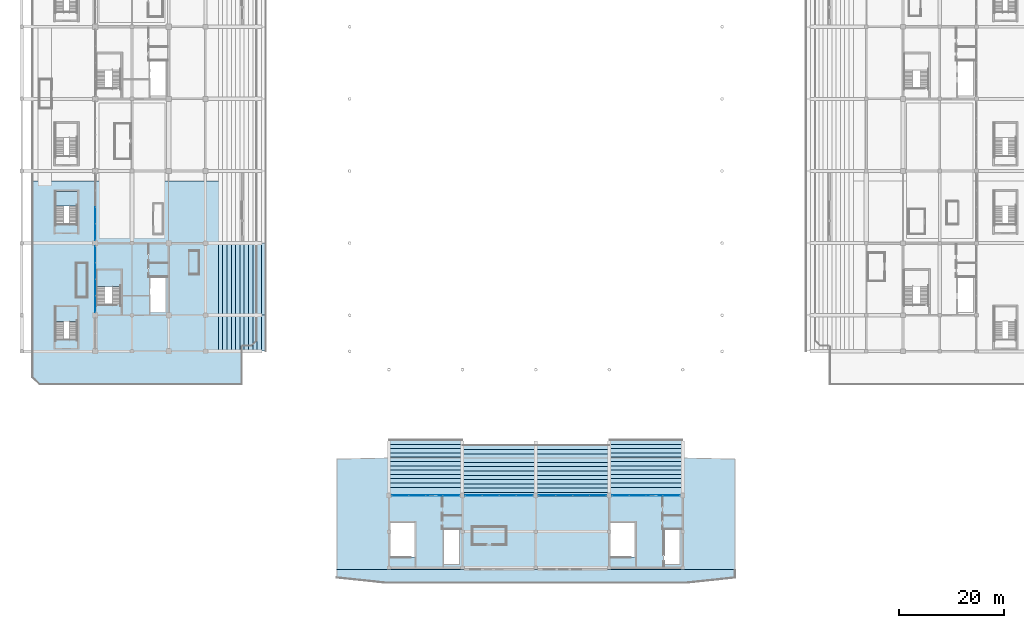
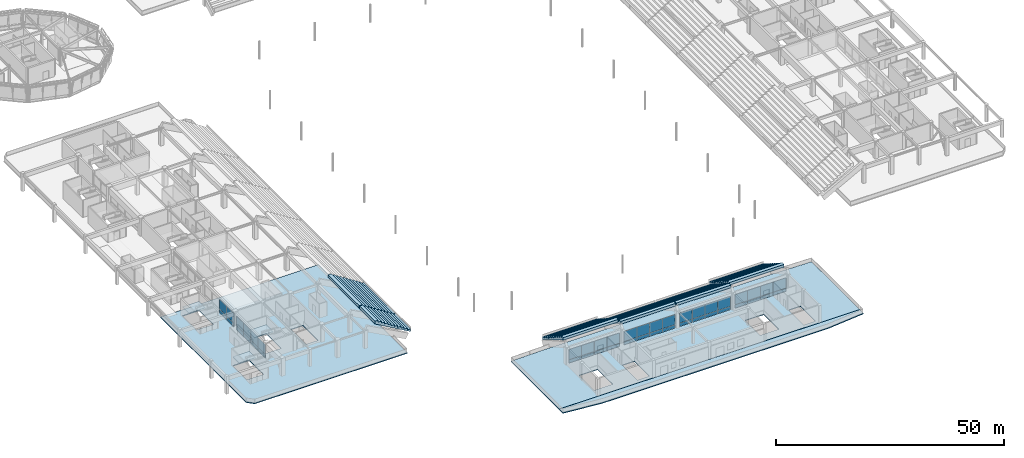
# One storey, part 59 of 94: 44 plates, 12 slabs, 9 elements without a shape of their own.
"""IFC4 building model written with IfcOpenShell, lengths in metres."""

from ifc_helpers import new_model, si_unit, direction, frame, origin, origin_2d, place, context, subcontext, project, spatial, polyline, rectangle, outline, extrude, material, layer, layer_set, type_object, element, aggregate, save


model = new_model("IFC4")

# Units and contexts
model_context = context("Model", 3, precision=1e-05, world=origin(), true_north=direction((0.0, 1.0)))
body_context = subcontext(model_context, "Body", "Model", "MODEL_VIEW")
ifc_project = project(units=[si_unit("LENGTHUNIT", "METRE"), si_unit("AREAUNIT", "SQUARE_METRE"), si_unit("VOLUMEUNIT", "CUBIC_METRE"), si_unit("PLANEANGLEUNIT", "RADIAN"), si_unit("MASSUNIT", "GRAM", prefix="KILO")], contexts=[model_context])

# Site, building, storey
site_placement = place(None, origin())
site = spatial("IfcSite", under=ifc_project, at=site_placement, CompositionType="ELEMENT")
building_placement = place(site_placement, origin())
building = spatial("IfcBuilding", under=site, at=building_placement, Name="Linyun Crest Stadium", CompositionType="ELEMENT")
storey_placement = place(building_placement, frame((0.0, 0.0, 16.199951171875)))
storey = spatial("IfcBuildingStorey", under=building, at=storey_placement, Name="L04", CompositionType="ELEMENT", Elevation=16.199951171875)

# Slabs
ifc_material_1 = material(Name="Concrete C40", Category="concrete")
ifc_layer_1 = layer(ifc_material_1, 0.179931640625)
ifc_layer_set_1 = layer_set([ifc_layer_1], Name="Concrete C40")
slab_type_1 = type_object("IfcSlabType", Name="FS01", PredefinedType="FLOOR", material=ifc_layer_set_1)
slab_1_placement = place(storey_placement, frame((0.0, 0.0, -0.179931640625)))
element("IfcSlab", 1, at=slab_1_placement, inside=storey, type_object=slab_type_1, Name="Slab FS01 V4 L04 42", PredefinedType="FLOOR", context=body_context, shape_type="SweptSolid", body=[
    extrude(outline(polyline([(-38.0, -87.60009765625), (38.0, -87.60009765625), (38.0, -66.5), (28.5, -66.300048828125), (-28.5, -66.300048828125), (-38.0, -66.5), (-38.0, -87.60009765625)]), holes=[polyline([(-27.77490234375, -85.22998046875), (-27.77490234375, -78.64990234375), (-23.10009765625, -78.64990234375), (-23.10009765625, -85.22998046875), (-27.77490234375, -85.22998046875)]), polyline([(-17.60009765625, -86.60009765625), (-17.60009765625, -80.0), (-14.60009765625, -80.0), (-14.60009765625, -86.60009765625), (-17.60009765625, -86.60009765625)]), polyline([(14.175048828125, -85.22998046875), (14.175048828125, -78.64990234375), (18.89990234375, -78.64990234375), (18.89990234375, -85.22998046875), (14.175048828125, -85.22998046875)]), polyline([(24.39990234375, -86.60009765625), (24.39990234375, -80.0), (27.39990234375, -80.0), (27.39990234375, -86.60009765625), (24.39990234375, -86.60009765625)])]), origin(), (0.0, 0.0, 1.0), 0.179931640625),
])
ifc_material_2 = material(Name="Concrete C40", Category="concrete")
ifc_layer_2 = layer(ifc_material_2, 0.219970703125)
ifc_layer_set_2 = layer_set([ifc_layer_2], Name="Concrete C40")
slab_type_2 = type_object("IfcSlabType", Name="FS03", PredefinedType="FLOOR", material=ifc_layer_set_2)
slab_2_placement = place(storey_placement, frame((0.0, 0.0, -0.219970703125)))
element("IfcSlab", 2, at=slab_2_placement, inside=storey, type_object=slab_type_2, Name="Slab FS03 V1 L04 8", PredefinedType="FLOOR", context=body_context, shape_type="SweptSolid", body=[
    extrude(outline(polyline([(-94.60009765625, -52.3349609375), (-56.0, -52.3349609375), (-56.0, -13.510009765625), (-96.0, -13.510009765625), (-96.0, -50.93505859375), (-94.60009765625, -52.3349609375)]), holes=[polyline([(-83.824951171875, -37.10498046875), (-83.824951171875, -30.52490234375), (-79.10009765625, -30.52490234375), (-79.10009765625, -37.10498046875), (-83.824951171875, -37.10498046875)]), polyline([(-73.60009765625, -38.47509765625), (-73.60009765625, -31.875), (-70.60009765625, -31.875), (-70.60009765625, -38.47509765625), (-73.60009765625, -38.47509765625)]), polyline([(-91.60009765625, -43.75), (-91.60009765625, -37.5), (-87.39990234375, -37.5), (-87.39990234375, -43.75), (-91.60009765625, -43.75)]), polyline([(-91.60009765625, -21.75), (-91.60009765625, -15.5), (-87.39990234375, -15.5), (-87.39990234375, -21.75), (-91.60009765625, -21.75)])]), origin(), (0.0, 0.0, 1.0), 0.219970703125),
])

# Curtain wall, plates
ifc_material_3 = material(Name="Verdigris steel and low-E curtain wall assembly", Category="steel")
curtain_wall_type_1 = type_object("IfcCurtainWallType", Name="MCW01", PredefinedType="NOTDEFINED", material=ifc_material_3)
curtain_wall_1_placement = place(storey_placement, origin())
curtain_wall_1 = element("IfcCurtainWall", 3, at=curtain_wall_1_placement, inside=storey, type_object=curtain_wall_type_1, Name="CWR-133", PredefinedType="NOTDEFINED")
ifc_material_4 = material(Name="Double silver low-E insulated glass", Category="glass")
ifc_layer_3 = layer(ifc_material_4, 0.02587890625)
ifc_layer_set_3 = layer_set([ifc_layer_3], Name="Double silver low-E insulated glass")
plate_type_1 = type_object("IfcPlateType", Name="GP01", PredefinedType="CURTAIN_PANEL", material=ifc_layer_set_3)
plate_1_placement = place(storey_placement, frame((-25.837890625, -73.5, 0.92529296875), z_axis=(0.0, 0.0, 1.0), x_axis=(1.0, 0.0, 0.0)))
plate_1 = element("IfcPlate", 4, at=plate_1_placement, type_object=plate_type_1, Name="CWR-133 panel 1.2", PredefinedType="CURTAIN_PANEL", context=body_context, shape_type="SweptSolid", body=[
    extrude(rectangle(XDim=3.175048828125, YDim=0.02587890625, at=origin_2d()), origin(), (0.0, 0.0, 1.0), 2.699951171875),
])
plate_2_placement = place(storey_placement, frame((-22.612060546875, -73.5, 0.92529296875), z_axis=(0.0, 0.0, 1.0), x_axis=(1.0, 0.0, 0.0)))
plate_2 = element("IfcPlate", 5, at=plate_2_placement, type_object=plate_type_1, Name="CWR-133 panel 2.2", PredefinedType="CURTAIN_PANEL", context=body_context, shape_type="SweptSolid", body=[
    extrude(rectangle(XDim=3.175048828125, YDim=0.02587890625, at=origin_2d()), origin(), (0.0, 0.0, 1.0), 2.699951171875),
])
plate_3_placement = place(storey_placement, frame((-19.387939453125, -73.5, 0.92529296875), z_axis=(0.0, 0.0, 1.0), x_axis=(1.0, 0.0, 0.0)))
plate_3 = element("IfcPlate", 6, at=plate_3_placement, type_object=plate_type_1, Name="CWR-133 panel 3.2", PredefinedType="CURTAIN_PANEL", context=body_context, shape_type="SweptSolid", body=[
    extrude(rectangle(XDim=3.175048828125, YDim=0.02587890625, at=origin_2d()), origin(), (0.0, 0.0, 1.0), 2.699951171875),
])
plate_4_placement = place(storey_placement, frame((-16.1630859375, -73.5, 0.92529296875), z_axis=(0.0, 0.0, 1.0), x_axis=(1.0, 0.0, 0.0)))
plate_4 = element("IfcPlate", 7, at=plate_4_placement, type_object=plate_type_1, Name="CWR-133 panel 4.2", PredefinedType="CURTAIN_PANEL", context=body_context, shape_type="SweptSolid", body=[
    extrude(rectangle(XDim=3.175048828125, YDim=0.02587890625, at=origin_2d()), origin(), (0.0, 0.0, 1.0), 2.699951171875),
])

curtain_wall_2_placement = place(storey_placement, origin())
curtain_wall_2 = element("IfcCurtainWall", 8, at=curtain_wall_2_placement, inside=storey, type_object=curtain_wall_type_1, Name="CWR-140", PredefinedType="NOTDEFINED")
plate_5_placement = place(storey_placement, frame((-11.8369140625, -73.5, 0.92529296875), z_axis=(0.0, 0.0, 1.0), x_axis=(1.0, 0.0, 0.0)))
plate_5 = element("IfcPlate", 9, at=plate_5_placement, type_object=plate_type_1, Name="CWR-140 panel 1.2", PredefinedType="CURTAIN_PANEL", context=body_context, shape_type="SweptSolid", body=[
    extrude(rectangle(XDim=3.175048828125, YDim=0.02587890625, at=origin_2d()), origin(), (0.0, 0.0, 1.0), 2.699951171875),
])
plate_6_placement = place(storey_placement, frame((-8.612060546875, -73.5, 0.92529296875), z_axis=(0.0, 0.0, 1.0), x_axis=(1.0, 0.0, 0.0)))
plate_6 = element("IfcPlate", 10, at=plate_6_placement, type_object=plate_type_1, Name="CWR-140 panel 2.2", PredefinedType="CURTAIN_PANEL", context=body_context, shape_type="SweptSolid", body=[
    extrude(rectangle(XDim=3.175048828125, YDim=0.02587890625, at=origin_2d()), origin(), (0.0, 0.0, 1.0), 2.699951171875),
])
plate_7_placement = place(storey_placement, frame((-5.386962890625, -73.5, 0.92529296875), z_axis=(0.0, 0.0, 1.0), x_axis=(1.0, 0.0, 0.0)))
plate_7 = element("IfcPlate", 11, at=plate_7_placement, type_object=plate_type_1, Name="CWR-140 panel 3.2", PredefinedType="CURTAIN_PANEL", context=body_context, shape_type="SweptSolid", body=[
    extrude(rectangle(XDim=3.175048828125, YDim=0.02587890625, at=origin_2d()), origin(), (0.0, 0.0, 1.0), 2.699951171875),
])
plate_8_placement = place(storey_placement, frame((-2.1630859375, -73.5, 0.92529296875), z_axis=(0.0, 0.0, 1.0), x_axis=(1.0, 0.0, 0.0)))
plate_8 = element("IfcPlate", 12, at=plate_8_placement, type_object=plate_type_1, Name="CWR-140 panel 4.2", PredefinedType="CURTAIN_PANEL", context=body_context, shape_type="SweptSolid", body=[
    extrude(rectangle(XDim=3.175048828125, YDim=0.02587890625, at=origin_2d()), origin(), (0.0, 0.0, 1.0), 2.699951171875),
])

curtain_wall_3_placement = place(storey_placement, origin())
curtain_wall_3 = element("IfcCurtainWall", 13, at=curtain_wall_3_placement, inside=storey, type_object=curtain_wall_type_1, Name="CWR-147", PredefinedType="NOTDEFINED")
plate_9_placement = place(storey_placement, frame((2.162109375, -73.5, 0.92529296875), z_axis=(0.0, 0.0, 1.0), x_axis=(1.0, 0.0, 0.0)))
plate_9 = element("IfcPlate", 14, at=plate_9_placement, type_object=plate_type_1, Name="CWR-147 panel 1.2", PredefinedType="CURTAIN_PANEL", context=body_context, shape_type="SweptSolid", body=[
    extrude(rectangle(XDim=3.175048828125, YDim=0.02587890625, at=origin_2d()), origin(), (0.0, 0.0, 1.0), 2.699951171875),
])
plate_10_placement = place(storey_placement, frame((5.386962890625, -73.5, 0.92529296875), z_axis=(0.0, 0.0, 1.0), x_axis=(1.0, 0.0, 0.0)))
plate_10 = element("IfcPlate", 15, at=plate_10_placement, type_object=plate_type_1, Name="CWR-147 panel 2.2", PredefinedType="CURTAIN_PANEL", context=body_context, shape_type="SweptSolid", body=[
    extrude(rectangle(XDim=3.175048828125, YDim=0.02587890625, at=origin_2d()), origin(), (0.0, 0.0, 1.0), 2.699951171875),
])
plate_11_placement = place(storey_placement, frame((8.612060546875, -73.5, 0.92529296875), z_axis=(0.0, 0.0, 1.0), x_axis=(1.0, 0.0, 0.0)))
plate_11 = element("IfcPlate", 16, at=plate_11_placement, type_object=plate_type_1, Name="CWR-147 panel 3.2", PredefinedType="CURTAIN_PANEL", context=body_context, shape_type="SweptSolid", body=[
    extrude(rectangle(XDim=3.175048828125, YDim=0.02587890625, at=origin_2d()), origin(), (0.0, 0.0, 1.0), 2.699951171875),
])
plate_12_placement = place(storey_placement, frame((11.8369140625, -73.5, 0.92529296875), z_axis=(0.0, 0.0, 1.0), x_axis=(1.0, 0.0, 0.0)))
plate_12 = element("IfcPlate", 17, at=plate_12_placement, type_object=plate_type_1, Name="CWR-147 panel 4.2", PredefinedType="CURTAIN_PANEL", context=body_context, shape_type="SweptSolid", body=[
    extrude(rectangle(XDim=3.175048828125, YDim=0.02587890625, at=origin_2d()), origin(), (0.0, 0.0, 1.0), 2.699951171875),
])

curtain_wall_4_placement = place(storey_placement, origin())
curtain_wall_4 = element("IfcCurtainWall", 18, at=curtain_wall_4_placement, inside=storey, type_object=curtain_wall_type_1, Name="CWR-154", PredefinedType="NOTDEFINED")
plate_13_placement = place(storey_placement, frame((16.1630859375, -73.5, 0.92529296875), z_axis=(0.0, 0.0, 1.0), x_axis=(1.0, 0.0, 0.0)))
plate_13 = element("IfcPlate", 19, at=plate_13_placement, type_object=plate_type_1, Name="CWR-154 panel 1.2", PredefinedType="CURTAIN_PANEL", context=body_context, shape_type="SweptSolid", body=[
    extrude(rectangle(XDim=3.175048828125, YDim=0.02587890625, at=origin_2d()), origin(), (0.0, 0.0, 1.0), 2.699951171875),
])
plate_14_placement = place(storey_placement, frame((19.387939453125, -73.5, 0.92529296875), z_axis=(0.0, 0.0, 1.0), x_axis=(1.0, 0.0, 0.0)))
plate_14 = element("IfcPlate", 20, at=plate_14_placement, type_object=plate_type_1, Name="CWR-154 panel 2.2", PredefinedType="CURTAIN_PANEL", context=body_context, shape_type="SweptSolid", body=[
    extrude(rectangle(XDim=3.175048828125, YDim=0.02587890625, at=origin_2d()), origin(), (0.0, 0.0, 1.0), 2.699951171875),
])
plate_15_placement = place(storey_placement, frame((22.612060546875, -73.5, 0.92529296875), z_axis=(0.0, 0.0, 1.0), x_axis=(1.0, 0.0, 0.0)))
plate_15 = element("IfcPlate", 21, at=plate_15_placement, type_object=plate_type_1, Name="CWR-154 panel 3.2", PredefinedType="CURTAIN_PANEL", context=body_context, shape_type="SweptSolid", body=[
    extrude(rectangle(XDim=3.175048828125, YDim=0.02587890625, at=origin_2d()), origin(), (0.0, 0.0, 1.0), 2.699951171875),
])
plate_16_placement = place(storey_placement, frame((25.837890625, -73.5, 0.92529296875), z_axis=(0.0, 0.0, 1.0), x_axis=(1.0, 0.0, 0.0)))
plate_16 = element("IfcPlate", 22, at=plate_16_placement, type_object=plate_type_1, Name="CWR-154 panel 4.2", PredefinedType="CURTAIN_PANEL", context=body_context, shape_type="SweptSolid", body=[
    extrude(rectangle(XDim=3.175048828125, YDim=0.02587890625, at=origin_2d()), origin(), (0.0, 0.0, 1.0), 2.699951171875),
])

ifc_material_5 = material(Name="Verdigris steel and low-E curtain wall assembly", Category="steel")
curtain_wall_type_2 = type_object("IfcCurtainWallType", Name="MCW06", PredefinedType="NOTDEFINED", material=ifc_material_5)
curtain_wall_5_placement = place(storey_placement, origin())
curtain_wall_5 = element("IfcCurtainWall", 23, at=curtain_wall_5_placement, inside=storey, type_object=curtain_wall_type_2, Name="CWR-075", PredefinedType="NOTDEFINED")
ifc_material_6 = material(Name="Acoustic laminated low-E broadcast glass", Category="glass")
ifc_layer_4 = layer(ifc_material_6, 0.030029296875)
ifc_layer_set_4 = layer_set([ifc_layer_4], Name="Acoustic laminated low-E broadcast glass")
plate_type_2 = type_object("IfcPlateType", Name="GP02", PredefinedType="CURTAIN_PANEL", material=ifc_layer_set_4)
plate_17_placement = place(storey_placement, frame((-84.0, -36.993896484375, 1.02490234375), z_axis=(0.0, 0.0, 1.0), x_axis=(0.0, 1.0, 0.0)))
plate_17 = element("IfcPlate", 24, at=plate_17_placement, type_object=plate_type_2, Name="CWR-075 panel 1.2", PredefinedType="CURTAIN_PANEL", context=body_context, shape_type="SweptSolid", body=[
    extrude(rectangle(XDim=3.112548828125, YDim=0.030029296875, at=origin_2d()), origin(), (0.0, 0.0, 1.0), 2.60009765625),
])
plate_18_placement = place(storey_placement, frame((-84.0, -33.8310546875, 1.02490234375), z_axis=(0.0, 0.0, 1.0), x_axis=(0.0, 1.0, 0.0)))
plate_18 = element("IfcPlate", 25, at=plate_18_placement, type_object=plate_type_2, Name="CWR-075 panel 2.2", PredefinedType="CURTAIN_PANEL", context=body_context, shape_type="SweptSolid", body=[
    extrude(rectangle(XDim=3.112548828125, YDim=0.030029296875, at=origin_2d()), origin(), (0.0, 0.0, 1.0), 2.60009765625),
])
plate_19_placement = place(storey_placement, frame((-84.0, -30.6689453125, 1.02490234375), z_axis=(0.0, 0.0, 1.0), x_axis=(0.0, 1.0, 0.0)))
plate_19 = element("IfcPlate", 26, at=plate_19_placement, type_object=plate_type_2, Name="CWR-075 panel 3.2", PredefinedType="CURTAIN_PANEL", context=body_context, shape_type="SweptSolid", body=[
    extrude(rectangle(XDim=3.112548828125, YDim=0.030029296875, at=origin_2d()), origin(), (0.0, 0.0, 1.0), 2.60009765625),
])
plate_20_placement = place(storey_placement, frame((-84.0, -27.506103515625, 1.02490234375), z_axis=(0.0, 0.0, 1.0), x_axis=(0.0, 1.0, 0.0)))
plate_20 = element("IfcPlate", 27, at=plate_20_placement, type_object=plate_type_2, Name="CWR-075 panel 4.2", PredefinedType="CURTAIN_PANEL", context=body_context, shape_type="SweptSolid", body=[
    extrude(rectangle(XDim=3.112548828125, YDim=0.030029296875, at=origin_2d()), origin(), (0.0, 0.0, 1.0), 2.60009765625),
])

curtain_wall_6_placement = place(storey_placement, origin())
curtain_wall_6 = element("IfcCurtainWall", 28, at=curtain_wall_6_placement, inside=storey, type_object=curtain_wall_type_2, Name="CWR-084", PredefinedType="NOTDEFINED")
plate_21_placement = place(storey_placement, frame((-84.0, -23.243896484375, 1.02490234375), z_axis=(0.0, 0.0, 1.0), x_axis=(0.0, 1.0, 0.0)))
plate_21 = element("IfcPlate", 29, at=plate_21_placement, type_object=plate_type_2, Name="CWR-084 panel 1.2", PredefinedType="CURTAIN_PANEL", context=body_context, shape_type="SweptSolid", body=[
    extrude(rectangle(XDim=3.112548828125, YDim=0.030029296875, at=origin_2d()), origin(), (0.0, 0.0, 1.0), 2.60009765625),
])
plate_22_placement = place(storey_placement, frame((-84.0, -20.0810546875, 1.02490234375), z_axis=(0.0, 0.0, 1.0), x_axis=(0.0, 1.0, 0.0)))
plate_22 = element("IfcPlate", 30, at=plate_22_placement, type_object=plate_type_2, Name="CWR-084 panel 2.2", PredefinedType="CURTAIN_PANEL", context=body_context, shape_type="SweptSolid", body=[
    extrude(rectangle(XDim=3.112548828125, YDim=0.030029296875, at=origin_2d()), origin(), (0.0, 0.0, 1.0), 2.60009765625),
])

# Stair, slab
ifc_material_7 = material(Name="Concrete C40", Category="concrete")
stair_type = type_object("IfcStairType", Name="STA03", PredefinedType="HALF_TURN_STAIR", material=ifc_material_7)
stair_1_placement = place(storey_placement, origin())
stair_1 = element("IfcStair", 31, at=stair_1_placement, inside=storey, type_object=stair_type, Name="Evacuation stair STR-01-L04", PredefinedType="HALF_TURN_STAIR")
ifc_material_8 = material(Name="Concrete C40", Category="concrete")
ifc_layer_5 = layer(ifc_material_8, 0.179931640625)
ifc_layer_set_5 = layer_set([ifc_layer_5], Name="Concrete C40")
slab_type_3 = type_object("IfcSlabType", Name="LS01", PredefinedType="LANDING", material=ifc_layer_set_5)
slab_3_placement = place(storey_placement, frame((0.0, 0.0, 2.219970703125)))
slab_3 = element("IfcSlab", 32, at=slab_3_placement, type_object=slab_type_3, Name="STR-01-L04 half-landing", PredefinedType="LANDING", context=body_context, shape_type="SweptSolid", body=[
    extrude(outline(polyline([(-83.824951171875, -33.635009765625), (-79.10009765625, -33.635009765625), (-79.10009765625, -30.52490234375), (-83.824951171875, -30.52490234375), (-83.824951171875, -33.635009765625)])), origin(), (0.0, 0.0, 1.0), 0.18017578125),
])
aggregate(stair_1, [slab_3])

stair_2_placement = place(storey_placement, origin())
stair_2 = element("IfcStair", 33, at=stair_2_placement, inside=storey, type_object=stair_type, Name="Vomitory evacuation stair STR-13-L04", PredefinedType="HALF_TURN_STAIR")
slab_4_placement = place(storey_placement, frame((0.0, 0.0, 2.219970703125)))
slab_4 = element("IfcSlab", 34, at=slab_4_placement, type_object=slab_type_3, Name="STR-13-L04 half-landing", PredefinedType="LANDING", context=body_context, shape_type="SweptSolid", body=[
    extrude(outline(polyline([(-91.60009765625, -40.280029296875), (-87.39990234375, -40.280029296875), (-87.39990234375, -37.5), (-91.60009765625, -37.5), (-91.60009765625, -40.280029296875)])), origin(), (0.0, 0.0, 1.0), 0.18017578125),
])
aggregate(stair_2, [slab_4])

stair_3_placement = place(storey_placement, origin())
stair_3 = element("IfcStair", 35, at=stair_3_placement, inside=storey, type_object=stair_type, Name="Vomitory evacuation stair STR-14-L04", PredefinedType="HALF_TURN_STAIR")
slab_5_placement = place(storey_placement, frame((0.0, 0.0, 2.219970703125)))
slab_5 = element("IfcSlab", 36, at=slab_5_placement, type_object=slab_type_3, Name="STR-14-L04 half-landing", PredefinedType="LANDING", context=body_context, shape_type="SweptSolid", body=[
    extrude(outline(polyline([(-91.60009765625, -18.280029296875), (-87.39990234375, -18.280029296875), (-87.39990234375, -15.5), (-91.60009765625, -15.5), (-91.60009765625, -18.280029296875)])), origin(), (0.0, 0.0, 1.0), 0.18017578125),
])
aggregate(stair_3, [slab_5])

# Plate
ifc_material_9 = material(Name="Celadon glazed ceramic faience insulated spandrel")
ifc_layer_6 = layer(ifc_material_9, 0.0419921875)
ifc_layer_set_6 = layer_set([ifc_layer_6], Name="Celadon glazed ceramic faience insulated spandrel")
plate_type_3 = type_object("IfcPlateType", Name="SP01", PredefinedType="SHEET", material=ifc_layer_set_6)
plate_23_placement = place(storey_placement, frame((-25.837890625, -73.5, 0.02490234375), z_axis=(0.0, 0.0, 1.0), x_axis=(1.0, 0.0, 0.0)))
plate_23 = element("IfcPlate", 37, at=plate_23_placement, type_object=plate_type_3, Name="CWR-133 panel 1.1", PredefinedType="SHEET", context=body_context, shape_type="SweptSolid", body=[
    extrude(rectangle(XDim=3.175048828125, YDim=0.0419921875, at=origin_2d()), origin(), (0.0, 0.0, 1.0), 0.85009765625),
])

plate_24_placement = place(storey_placement, frame((-22.612060546875, -73.5, 0.02490234375), z_axis=(0.0, 0.0, 1.0), x_axis=(1.0, 0.0, 0.0)))
plate_24 = element("IfcPlate", 38, at=plate_24_placement, type_object=plate_type_3, Name="CWR-133 panel 2.1", PredefinedType="SHEET", context=body_context, shape_type="SweptSolid", body=[
    extrude(rectangle(XDim=3.175048828125, YDim=0.0419921875, at=origin_2d()), origin(), (0.0, 0.0, 1.0), 0.85009765625),
])

plate_25_placement = place(storey_placement, frame((-19.387939453125, -73.5, 0.02490234375), z_axis=(0.0, 0.0, 1.0), x_axis=(1.0, 0.0, 0.0)))
plate_25 = element("IfcPlate", 39, at=plate_25_placement, type_object=plate_type_3, Name="CWR-133 panel 3.1", PredefinedType="SHEET", context=body_context, shape_type="SweptSolid", body=[
    extrude(rectangle(XDim=3.175048828125, YDim=0.0419921875, at=origin_2d()), origin(), (0.0, 0.0, 1.0), 0.85009765625),
])

plate_26_placement = place(storey_placement, frame((-16.1630859375, -73.5, 0.02490234375), z_axis=(0.0, 0.0, 1.0), x_axis=(1.0, 0.0, 0.0)))
plate_26 = element("IfcPlate", 40, at=plate_26_placement, type_object=plate_type_3, Name="CWR-133 panel 4.1", PredefinedType="SHEET", context=body_context, shape_type="SweptSolid", body=[
    extrude(rectangle(XDim=3.175048828125, YDim=0.0419921875, at=origin_2d()), origin(), (0.0, 0.0, 1.0), 0.85009765625),
])

aggregate(curtain_wall_1, [plate_23, plate_1, plate_24, plate_2, plate_25, plate_3, plate_26, plate_4])

plate_27_placement = place(storey_placement, frame((-11.8369140625, -73.5, 0.02490234375), z_axis=(0.0, 0.0, 1.0), x_axis=(1.0, 0.0, 0.0)))
plate_27 = element("IfcPlate", 41, at=plate_27_placement, type_object=plate_type_3, Name="CWR-140 panel 1.1", PredefinedType="SHEET", context=body_context, shape_type="SweptSolid", body=[
    extrude(rectangle(XDim=3.175048828125, YDim=0.0419921875, at=origin_2d()), origin(), (0.0, 0.0, 1.0), 0.85009765625),
])

plate_28_placement = place(storey_placement, frame((-8.612060546875, -73.5, 0.02490234375), z_axis=(0.0, 0.0, 1.0), x_axis=(1.0, 0.0, 0.0)))
plate_28 = element("IfcPlate", 42, at=plate_28_placement, type_object=plate_type_3, Name="CWR-140 panel 2.1", PredefinedType="SHEET", context=body_context, shape_type="SweptSolid", body=[
    extrude(rectangle(XDim=3.175048828125, YDim=0.0419921875, at=origin_2d()), origin(), (0.0, 0.0, 1.0), 0.85009765625),
])

plate_29_placement = place(storey_placement, frame((-5.386962890625, -73.5, 0.02490234375), z_axis=(0.0, 0.0, 1.0), x_axis=(1.0, 0.0, 0.0)))
plate_29 = element("IfcPlate", 43, at=plate_29_placement, type_object=plate_type_3, Name="CWR-140 panel 3.1", PredefinedType="SHEET", context=body_context, shape_type="SweptSolid", body=[
    extrude(rectangle(XDim=3.175048828125, YDim=0.0419921875, at=origin_2d()), origin(), (0.0, 0.0, 1.0), 0.85009765625),
])

plate_30_placement = place(storey_placement, frame((-2.1630859375, -73.5, 0.02490234375), z_axis=(0.0, 0.0, 1.0), x_axis=(1.0, 0.0, 0.0)))
plate_30 = element("IfcPlate", 44, at=plate_30_placement, type_object=plate_type_3, Name="CWR-140 panel 4.1", PredefinedType="SHEET", context=body_context, shape_type="SweptSolid", body=[
    extrude(rectangle(XDim=3.175048828125, YDim=0.0419921875, at=origin_2d()), origin(), (0.0, 0.0, 1.0), 0.85009765625),
])

aggregate(curtain_wall_2, [plate_27, plate_5, plate_28, plate_6, plate_29, plate_7, plate_30, plate_8])

plate_31_placement = place(storey_placement, frame((2.162109375, -73.5, 0.02490234375), z_axis=(0.0, 0.0, 1.0), x_axis=(1.0, 0.0, 0.0)))
plate_31 = element("IfcPlate", 45, at=plate_31_placement, type_object=plate_type_3, Name="CWR-147 panel 1.1", PredefinedType="SHEET", context=body_context, shape_type="SweptSolid", body=[
    extrude(rectangle(XDim=3.175048828125, YDim=0.0419921875, at=origin_2d()), origin(), (0.0, 0.0, 1.0), 0.85009765625),
])

plate_32_placement = place(storey_placement, frame((5.386962890625, -73.5, 0.02490234375), z_axis=(0.0, 0.0, 1.0), x_axis=(1.0, 0.0, 0.0)))
plate_32 = element("IfcPlate", 46, at=plate_32_placement, type_object=plate_type_3, Name="CWR-147 panel 2.1", PredefinedType="SHEET", context=body_context, shape_type="SweptSolid", body=[
    extrude(rectangle(XDim=3.175048828125, YDim=0.0419921875, at=origin_2d()), origin(), (0.0, 0.0, 1.0), 0.85009765625),
])

plate_33_placement = place(storey_placement, frame((8.612060546875, -73.5, 0.02490234375), z_axis=(0.0, 0.0, 1.0), x_axis=(1.0, 0.0, 0.0)))
plate_33 = element("IfcPlate", 47, at=plate_33_placement, type_object=plate_type_3, Name="CWR-147 panel 3.1", PredefinedType="SHEET", context=body_context, shape_type="SweptSolid", body=[
    extrude(rectangle(XDim=3.175048828125, YDim=0.0419921875, at=origin_2d()), origin(), (0.0, 0.0, 1.0), 0.85009765625),
])

plate_34_placement = place(storey_placement, frame((11.8369140625, -73.5, 0.02490234375), z_axis=(0.0, 0.0, 1.0), x_axis=(1.0, 0.0, 0.0)))
plate_34 = element("IfcPlate", 48, at=plate_34_placement, type_object=plate_type_3, Name="CWR-147 panel 4.1", PredefinedType="SHEET", context=body_context, shape_type="SweptSolid", body=[
    extrude(rectangle(XDim=3.175048828125, YDim=0.0419921875, at=origin_2d()), origin(), (0.0, 0.0, 1.0), 0.85009765625),
])

aggregate(curtain_wall_3, [plate_31, plate_9, plate_32, plate_10, plate_33, plate_11, plate_34, plate_12])

plate_35_placement = place(storey_placement, frame((16.1630859375, -73.5, 0.02490234375), z_axis=(0.0, 0.0, 1.0), x_axis=(1.0, 0.0, 0.0)))
plate_35 = element("IfcPlate", 49, at=plate_35_placement, type_object=plate_type_3, Name="CWR-154 panel 1.1", PredefinedType="SHEET", context=body_context, shape_type="SweptSolid", body=[
    extrude(rectangle(XDim=3.175048828125, YDim=0.0419921875, at=origin_2d()), origin(), (0.0, 0.0, 1.0), 0.85009765625),
])

plate_36_placement = place(storey_placement, frame((19.387939453125, -73.5, 0.02490234375), z_axis=(0.0, 0.0, 1.0), x_axis=(1.0, 0.0, 0.0)))
plate_36 = element("IfcPlate", 50, at=plate_36_placement, type_object=plate_type_3, Name="CWR-154 panel 2.1", PredefinedType="SHEET", context=body_context, shape_type="SweptSolid", body=[
    extrude(rectangle(XDim=3.175048828125, YDim=0.0419921875, at=origin_2d()), origin(), (0.0, 0.0, 1.0), 0.85009765625),
])

plate_37_placement = place(storey_placement, frame((22.612060546875, -73.5, 0.02490234375), z_axis=(0.0, 0.0, 1.0), x_axis=(1.0, 0.0, 0.0)))
plate_37 = element("IfcPlate", 51, at=plate_37_placement, type_object=plate_type_3, Name="CWR-154 panel 3.1", PredefinedType="SHEET", context=body_context, shape_type="SweptSolid", body=[
    extrude(rectangle(XDim=3.175048828125, YDim=0.0419921875, at=origin_2d()), origin(), (0.0, 0.0, 1.0), 0.85009765625),
])

plate_38_placement = place(storey_placement, frame((25.837890625, -73.5, 0.02490234375), z_axis=(0.0, 0.0, 1.0), x_axis=(1.0, 0.0, 0.0)))
plate_38 = element("IfcPlate", 52, at=plate_38_placement, type_object=plate_type_3, Name="CWR-154 panel 4.1", PredefinedType="SHEET", context=body_context, shape_type="SweptSolid", body=[
    extrude(rectangle(XDim=3.175048828125, YDim=0.0419921875, at=origin_2d()), origin(), (0.0, 0.0, 1.0), 0.85009765625),
])

aggregate(curtain_wall_4, [plate_35, plate_13, plate_36, plate_14, plate_37, plate_15, plate_38, plate_16])

ifc_material_10 = material(Name="Warm ochre glazed ceramic faience spandrel")
ifc_layer_7 = layer(ifc_material_10, 0.048095703125)
ifc_layer_set_7 = layer_set([ifc_layer_7], Name="Warm ochre glazed ceramic faience spandrel")
plate_type_4 = type_object("IfcPlateType", Name="SP02", PredefinedType="SHEET", material=ifc_layer_set_7)
plate_39_placement = place(storey_placement, frame((-84.0, -36.993896484375, 0.02490234375), z_axis=(0.0, 0.0, 1.0), x_axis=(0.0, 1.0, 0.0)))
plate_39 = element("IfcPlate", 53, at=plate_39_placement, type_object=plate_type_4, Name="CWR-075 panel 1.1", PredefinedType="SHEET", context=body_context, shape_type="SweptSolid", body=[
    extrude(rectangle(XDim=3.112548828125, YDim=0.048095703125, at=origin_2d()), origin(), (0.0, 0.0, 1.0), 0.949951171875),
])

plate_40_placement = place(storey_placement, frame((-84.0, -33.8310546875, 0.02490234375), z_axis=(0.0, 0.0, 1.0), x_axis=(0.0, 1.0, 0.0)))
plate_40 = element("IfcPlate", 54, at=plate_40_placement, type_object=plate_type_4, Name="CWR-075 panel 2.1", PredefinedType="SHEET", context=body_context, shape_type="SweptSolid", body=[
    extrude(rectangle(XDim=3.112548828125, YDim=0.048095703125, at=origin_2d()), origin(), (0.0, 0.0, 1.0), 0.949951171875),
])

plate_41_placement = place(storey_placement, frame((-84.0, -30.6689453125, 0.02490234375), z_axis=(0.0, 0.0, 1.0), x_axis=(0.0, 1.0, 0.0)))
plate_41 = element("IfcPlate", 55, at=plate_41_placement, type_object=plate_type_4, Name="CWR-075 panel 3.1", PredefinedType="SHEET", context=body_context, shape_type="SweptSolid", body=[
    extrude(rectangle(XDim=3.112548828125, YDim=0.048095703125, at=origin_2d()), origin(), (0.0, 0.0, 1.0), 0.949951171875),
])

plate_42_placement = place(storey_placement, frame((-84.0, -27.506103515625, 0.02490234375), z_axis=(0.0, 0.0, 1.0), x_axis=(0.0, 1.0, 0.0)))
plate_42 = element("IfcPlate", 56, at=plate_42_placement, type_object=plate_type_4, Name="CWR-075 panel 4.1", PredefinedType="SHEET", context=body_context, shape_type="SweptSolid", body=[
    extrude(rectangle(XDim=3.112548828125, YDim=0.048095703125, at=origin_2d()), origin(), (0.0, 0.0, 1.0), 0.949951171875),
])

aggregate(curtain_wall_5, [plate_39, plate_17, plate_40, plate_18, plate_41, plate_19, plate_42, plate_20])

plate_43_placement = place(storey_placement, frame((-84.0, -23.243896484375, 0.02490234375), z_axis=(0.0, 0.0, 1.0), x_axis=(0.0, 1.0, 0.0)))
plate_43 = element("IfcPlate", 57, at=plate_43_placement, type_object=plate_type_4, Name="CWR-084 panel 1.1", PredefinedType="SHEET", context=body_context, shape_type="SweptSolid", body=[
    extrude(rectangle(XDim=3.112548828125, YDim=0.048095703125, at=origin_2d()), origin(), (0.0, 0.0, 1.0), 0.949951171875),
])

plate_44_placement = place(storey_placement, frame((-84.0, -20.0810546875, 0.02490234375), z_axis=(0.0, 0.0, 1.0), x_axis=(0.0, 1.0, 0.0)))
plate_44 = element("IfcPlate", 58, at=plate_44_placement, type_object=plate_type_4, Name="CWR-084 panel 2.1", PredefinedType="SHEET", context=body_context, shape_type="SweptSolid", body=[
    extrude(rectangle(XDim=3.112548828125, YDim=0.048095703125, at=origin_2d()), origin(), (0.0, 0.0, 1.0), 0.949951171875),
])

aggregate(curtain_wall_6, [plate_43, plate_21, plate_44, plate_22])

# Slabs
ifc_material_11 = material(Name="Precast concrete C50", Category="concrete")
ifc_layer_8 = layer(ifc_material_11, 0.199951171875)
ifc_layer_set_8 = layer_set([ifc_layer_8], Name="Precast concrete C50")
slab_type_4 = type_object("IfcSlabType", Name="ST04", PredefinedType="USERDEFINED", material=ifc_layer_set_8)
slab_6_placement = place(storey_placement, frame((-51.5, -45.919921875, 0.35009765625), z_axis=(0.0, 0.0, 1.0), x_axis=(-1.0, 0.0, 0.0)))
element("IfcSlab", 59, at=slab_6_placement, inside=storey, type_object=slab_type_4, Name="Precast seating tier ST04 V1 3", ObjectType="SEATING TIER", PredefinedType="USERDEFINED", context=body_context, shape_type="SweptSolid", body=[
    extrude(outline(polyline([(0.0, 0.0), (0.0, 0.52001953125), (0.820068359375, 0.52001953125), (0.820068359375, 1.0400390625), (1.639892578125, 1.0400390625), (1.639892578125, 1.56005859375), (2.4599609375, 1.56005859375), (2.4599609375, 2.080078125), (3.280029296875, 2.080078125), (3.280029296875, 2.60009765625), (4.10009765625, 2.60009765625), (4.10009765625, 3.1201171875), (4.919921875, 3.1201171875), (4.919921875, 3.639892578125), (5.739990234375, 3.639892578125), (5.739990234375, 4.159912109375), (6.56005859375, 4.159912109375), (6.56005859375, 4.679931640625), (7.3798828125, 4.679931640625), (7.3798828125, 5.199951171875), (8.199951171875, 5.199951171875), (8.199951171875, 5.719970703125), (9.02001953125, 5.719970703125), (9.02001953125, 5.0), (0.0, -0.199951171875), (0.0, 0.0)])), frame((0.0, 0.0, 0.0), z_axis=(0.0, -1.0, 0.0), x_axis=(1.0, 0.0, 0.0)), (0.0, 0.0, 1.0), 6.71484375),
])
slab_7_placement = place(storey_placement, frame((-51.5, -39.044921875, 0.35009765625), z_axis=(0.0, 0.0, 1.0), x_axis=(-1.0, 0.0, 0.0)))
element("IfcSlab", 60, at=slab_7_placement, inside=storey, type_object=slab_type_4, Name="Precast seating tier ST04 V1 11", ObjectType="SEATING TIER", PredefinedType="USERDEFINED", context=body_context, shape_type="SweptSolid", body=[
    extrude(outline(polyline([(0.0, 0.0), (0.0, 0.52001953125), (0.820068359375, 0.52001953125), (0.820068359375, 1.0400390625), (1.639892578125, 1.0400390625), (1.639892578125, 1.56005859375), (2.4599609375, 1.56005859375), (2.4599609375, 2.080078125), (3.280029296875, 2.080078125), (3.280029296875, 2.60009765625), (4.10009765625, 2.60009765625), (4.10009765625, 3.1201171875), (4.919921875, 3.1201171875), (4.919921875, 3.639892578125), (5.739990234375, 3.639892578125), (5.739990234375, 4.159912109375), (6.56005859375, 4.159912109375), (6.56005859375, 4.679931640625), (7.3798828125, 4.679931640625), (7.3798828125, 5.199951171875), (8.199951171875, 5.199951171875), (8.199951171875, 5.719970703125), (9.02001953125, 5.719970703125), (9.02001953125, 5.0), (0.0, -0.199951171875), (0.0, 0.0)])), frame((0.0, 0.0, 0.0), z_axis=(0.0, -1.0, 0.0), x_axis=(1.0, 0.0, 0.0)), (0.0, 0.0, 1.0), 13.58984375),
])
for number, where, z_axis, x_axis, name in (
    (61, (-27.919921875, -62.89990234375, 0.35009765625), (0.0, 0.0, 1.0), (0.0, -1.0, 0.0), "Precast seating tier ST04 V4 63"),
    (62, (-13.919921875, -63.89990234375, 0.35009765625), (0.0, 0.0, 1.0), (0.0, -1.0, 0.0), "Precast seating tier ST04 V4 70"),
    (63, (0.080078125, -63.89990234375, 0.35009765625), (0.0, 0.0, 1.0), (0.0, -1.0, 0.0), "Precast seating tier ST04 V4 77"),
    (64, (14.080078125, -62.89990234375, 0.35009765625), (0.0, 0.0, 1.0), (0.0, -1.0, 0.0), "Precast seating tier ST04 V4 84"),
):
    element("IfcSlab", number, at=place(storey_placement, frame(where, z_axis=z_axis, x_axis=x_axis)), inside=storey, type_object=slab_type_4, Name=name, ObjectType="SEATING TIER", PredefinedType="USERDEFINED", context=body_context, shape_type="SweptSolid", body=[
        extrude(outline(polyline([(0.0, 0.0), (0.0, -0.52001953125), (0.820068359375, -0.52001953125), (0.820068359375, -1.0400390625), (1.639892578125, -1.0400390625), (1.639892578125, -1.56005859375), (2.4599609375, -1.56005859375), (2.4599609375, -2.080078125), (3.280029296875, -2.080078125), (3.280029296875, -2.60009765625), (4.10009765625, -2.60009765625), (4.10009765625, -3.1201171875), (4.919921875, -3.1201171875), (4.919921875, -3.639892578125), (5.739990234375, -3.639892578125), (5.739990234375, -4.159912109375), (6.56005859375, -4.159912109375), (6.56005859375, -4.679931640625), (7.3798828125, -4.679931640625), (7.3798828125, -5.199951171875), (8.199951171875, -5.199951171875), (8.199951171875, -5.719970703125), (9.02001953125, -5.719970703125), (9.02001953125, -5.0), (0.0, 0.199951171875), (0.0, 0.0)])), frame((0.0, 0.0, 0.0), z_axis=(0.0, 1.0, 0.0), x_axis=(1.0, 0.0, 0.0)), (0.0, 0.0, 1.0), 13.83984375),
    ])
ifc_material_12 = material(Name="Concrete C40", Category="concrete")
ifc_layer_9 = layer(ifc_material_12, 0.239990234375)
ifc_layer_set_9 = layer_set([ifc_layer_9], Name="Concrete C40")
slab_type_5 = type_object("IfcSlabType", Name="TS01", PredefinedType="FLOOR", material=ifc_layer_set_9)
slab_8_placement = place(storey_placement, frame((0.0, 0.0, -0.239990234375)))
element("IfcSlab", 65, at=slab_8_placement, inside=storey, type_object=slab_type_5, Name="Slab TS01 V4 L04 44", PredefinedType="FLOOR", context=body_context, shape_type="SweptSolid", body=[
    extrude(outline(polyline([(-38.0, -89.199951171875), (-28.5, -90.199951171875), (28.5, -90.199951171875), (38.0, -89.199951171875), (38.0, -87.60498046875), (-38.0, -87.60498046875), (-38.0, -89.199951171875)])), origin(), (0.0, 0.0, 1.0), 0.239990234375),
])

save(model, "model.ifc")
